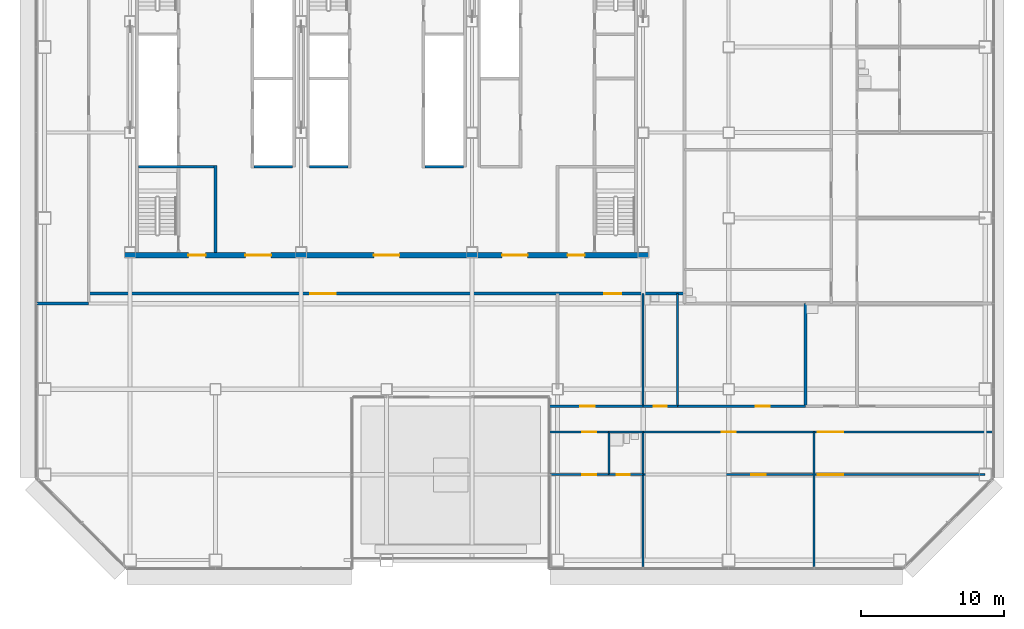
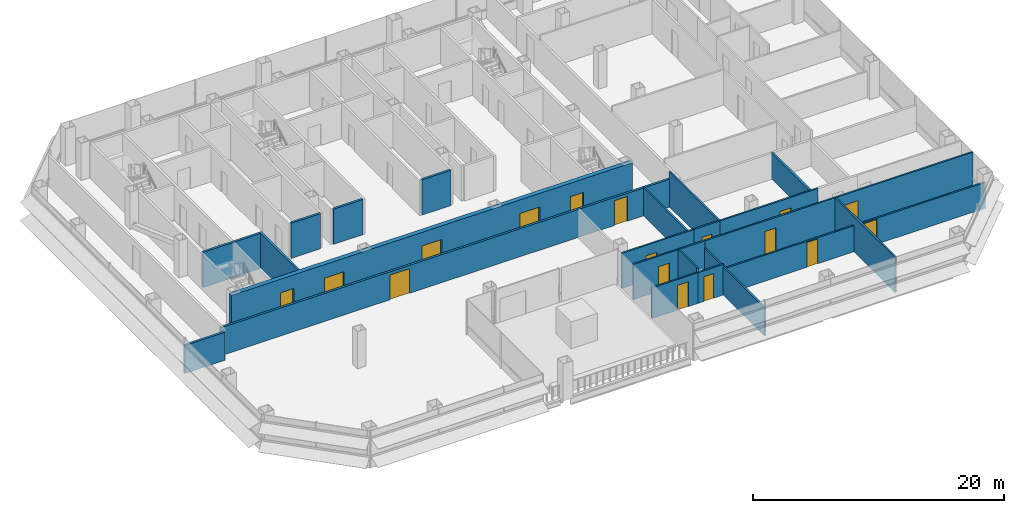
# One storey, part 20 of 27: 24 walls, 17 doors, 17 openings.
"""IFC4 building model written with IfcOpenShell, lengths in metres."""

from ifc_helpers import new_model, si_unit, direction, frame, frame_2d, origin, place, context, subcontext, project, spatial, rectangle, extrude, material, layer, layer_set, type_object, element, fill, save


model = new_model("IFC4")

# Units and contexts
model_context = context("Model", 3, precision=1e-05, world=origin(), true_north=direction((0.0, 1.0)))
body_context = subcontext(model_context, "Body", "Model", "MODEL_VIEW")
ifc_project = project(units=[si_unit("LENGTHUNIT", "METRE"), si_unit("AREAUNIT", "SQUARE_METRE"), si_unit("VOLUMEUNIT", "CUBIC_METRE"), si_unit("PLANEANGLEUNIT", "RADIAN"), si_unit("MASSUNIT", "GRAM", prefix="KILO")], contexts=[model_context])

# Site, building, storey
site_placement = place(None, origin())
site = spatial("IfcSite", under=ifc_project, at=site_placement, CompositionType="ELEMENT")
building_placement = place(site_placement, origin())
building = spatial("IfcBuilding", under=site, at=building_placement, Name="Sorahane Residences", CompositionType="ELEMENT")
storey_placement = place(building_placement, frame((0.0, 0.0, 82.199951171875)))
storey = spatial("IfcBuildingStorey", under=building, at=storey_placement, Name="L17", CompositionType="ELEMENT", Elevation=82.199951171875)

# Wall
ifc_material_1 = material(Name="Concrete blockwork C20 wall", Category="masonry")
ifc_layer_1 = layer(ifc_material_1, 0.199951171875)
ifc_layer_set_1 = layer_set([ifc_layer_1], Name="Corridor wall 200 EI 120")
wall_type_1 = type_object("IfcWallType", Name="Corridor wall 200 EI 120", PredefinedType="SOLIDWALL", material=ifc_layer_set_1)
wall_1_placement = place(storey_placement, frame((-0.60009765625, 18.0, 0.0), z_axis=(0.0, 0.0, 1.0), x_axis=(1.0, 0.0, 0.0)))
element("IfcWall", 1, at=wall_1_placement, inside=storey, type_object=wall_type_1, Name="L17 corridor wall", PredefinedType="SOLIDWALL", context=body_context, shape_type="SweptSolid", body=[
    extrude(rectangle(XDim=3.697998046875, YDim=0.199951171875, at=frame_2d((1.84912109375, 0.0))), origin(), (0.0, 0.0, 1.0), 2.719970703125),
])

# Wall, openings, doors
wall_2_placement = place(storey_placement, frame((3.10009765625, 18.699951171875, 0.0), z_axis=(0.0, 0.0, 1.0), x_axis=(1.0, 0.0, 0.0)))
wall_2 = element("IfcWall", 2, at=wall_2_placement, inside=storey, type_object=wall_type_1, Name="L17 corridor wall", PredefinedType="SOLIDWALL", context=body_context, shape_type="SweptSolid", body=[
    extrude(rectangle(XDim=41.7998046875, YDim=0.199951171875, at=frame_2d((20.89990234375, 0.0))), origin(), (0.0, 0.0, 1.0), 2.719970703125),
])
opening_1_placement = place(wall_2_placement, frame((36.159912109375, 0.0, 0.0)))
opening_1 = element("IfcOpeningElement", 3, at=opening_1_placement, cuts=wall_2, Name="Opening L17-25", PredefinedType="OPENING", context=body_context, shape_type="SweptSolid", body=[
    extrude(rectangle(XDim=1.199951171875, YDim=2.39990234375, at=frame_2d((0.60009765625, 1.199951171875))), frame((0.0, 0.10986328125, 0.0), z_axis=(0.0, -1.0, 0.0), x_axis=(1.0, 0.0, 0.0)), (0.0, 0.0, 1.0), 0.219970703125),
])
opening_2_placement = place(wall_2_placement, frame((15.550048828125, 0.0, 0.0)))
opening_2 = element("IfcOpeningElement", 4, at=opening_2_placement, cuts=wall_2, Name="Opening L17-27", PredefinedType="OPENING", context=body_context, shape_type="SweptSolid", body=[
    extrude(rectangle(XDim=1.800048828125, YDim=2.39990234375, at=frame_2d((0.89990234375, 1.199951171875))), frame((0.0, 0.10986328125, 0.0), z_axis=(0.0, -1.0, 0.0), x_axis=(1.0, 0.0, 0.0)), (0.0, 0.0, 1.0), 0.219970703125),
])
ifc_material_2 = material(Name="Timber veneered fire door", Category="wood")
door_type_1 = type_object("IfcDoorType", Name="Double door 1800x2400 FD30", OperationType="NOTDEFINED", PredefinedType="DOOR", material=ifc_material_2)
door_1_placement = place(opening_2_placement, frame((1.800048828125, 0.0, 0.0), z_axis=(0.0, 0.0, 1.0), x_axis=(-1.0, 0.0, 0.0)))
door_1 = element("IfcDoor", 5, at=door_1_placement, inside=storey, type_object=door_type_1, Name="Double door L17-27", OperationType="SINGLE_SWING_LEFT", OverallHeight=2.39990234375, OverallWidth=1.800048828125, PredefinedType="DOOR", context=body_context, shape_type="SweptSolid", body=[
    extrude(rectangle(XDim=1.800048828125, YDim=2.39990234375, at=frame_2d((0.89990234375, 1.199951171875))), frame((0.0, 0.02490234375, 0.0), z_axis=(0.0, -1.0, 0.0), x_axis=(1.0, 0.0, 0.0)), (0.0, 0.0, 1.0), 0.050048828125),
])
fill(opening_2, door_1)
ifc_material_3 = material(Name="Timber veneered fire door", Category="wood")
door_type_2 = type_object("IfcDoorType", Name="Flat entrance door 1200x2400 FD60", OperationType="NOTDEFINED", PredefinedType="DOOR", material=ifc_material_3)
door_2_placement = place(opening_1_placement, frame((1.199951171875, 0.0, 0.0), z_axis=(0.0, 0.0, 1.0), x_axis=(-1.0, 0.0, 0.0)))
door_2 = element("IfcDoor", 6, at=door_2_placement, inside=storey, type_object=door_type_2, Name="Flat entrance door L17-25", OperationType="SINGLE_SWING_LEFT", OverallHeight=2.39990234375, OverallWidth=1.199951171875, PredefinedType="DOOR", context=body_context, shape_type="SweptSolid", body=[
    extrude(rectangle(XDim=1.199951171875, YDim=2.39990234375, at=frame_2d((0.60009765625, 1.199951171875))), frame((0.0, 0.02490234375, 0.0), z_axis=(0.0, -1.0, 0.0), x_axis=(1.0, 0.0, 0.0)), (0.0, 0.0, 1.0), 0.050048828125),
])
fill(opening_1, door_2)

# Walls
ifc_material_4 = material(Name="Concrete C30", Category="concrete")
ifc_layer_2 = layer(ifc_material_4, 0.199951171875)
ifc_layer_set_2 = layer_set([ifc_layer_2], Name="Front room wall 200 EI 120")
wall_type_2 = type_object("IfcWallType", Name="Front room wall 200 EI 120", PredefinedType="PARTITIONING", material=ifc_layer_set_2)
wall_3_placement = place(storey_placement, frame((12.0, 21.60009765625, 0.0), z_axis=(0.0, 0.0, 1.0), x_axis=(0.0, 1.0, 0.0)))
element("IfcWall", 7, at=wall_3_placement, inside=storey, type_object=wall_type_2, Name="L17 front room wall", PredefinedType="PARTITIONING", context=body_context, shape_type="SweptSolid", body=[
    extrude(rectangle(XDim=6.099853515625, YDim=0.199951171875, at=frame_2d((3.0498046875, 0.0))), origin(), (0.0, 0.0, 1.0), 3.420166015625),
])
ifc_material_5 = material(Name="Concrete blockwork C20 wall", Category="masonry")
ifc_layer_3 = layer(ifc_material_5, 0.199951171875)
ifc_layer_set_3 = layer_set([ifc_layer_3], Name="Kitchen wall 200 EI 180")
wall_type_3 = type_object("IfcWallType", Name="Kitchen wall 200 EI 180", PredefinedType="SOLIDWALL", material=ifc_layer_set_3)
wall_4_placement = place(storey_placement, frame((53.39990234375, 10.800048828125, 0.0), z_axis=(0.0, 0.0, 1.0), x_axis=(0.0, 1.0, 0.0)))
element("IfcWall", 8, at=wall_4_placement, inside=storey, type_object=wall_type_3, Name="L17 kitchen wall", PredefinedType="SOLIDWALL", context=body_context, shape_type="SweptSolid", body=[
    extrude(rectangle(XDim=7.199951171875, YDim=0.199951171875, at=frame_2d((3.60009765625, 0.0))), origin(), (0.0, 0.0, 1.0), 2.52001953125),
])
ifc_material_6 = material(Name="Concrete C30", Category="concrete")
ifc_layer_4 = layer(ifc_material_6, 0.199951171875)
ifc_layer_set_4 = layer_set([ifc_layer_4], Name="Lift shaft wall 200 EI 120")
wall_type_4 = type_object("IfcWallType", Name="Lift shaft wall 200 EI 120", PredefinedType="SOLIDWALL", material=ifc_layer_set_4)
for number, where, z_axis, x_axis, name in (
    (9, (14.699951171875, 27.60009765625, 0.0), (0.0, 0.0, 1.0), (1.0, 0.0, 0.0), "L17 lift shaft wall"),
    (10, (18.60009765625, 27.60009765625, 0.0), (0.0, 0.0, 1.0), (1.0, 0.0, 0.0), "L17 lift shaft wall"),
):
    element("IfcWall", number, at=place(storey_placement, frame(where, z_axis=z_axis, x_axis=x_axis)), inside=storey, type_object=wall_type_4, Name=name, PredefinedType="SOLIDWALL", context=body_context, shape_type="SweptSolid", body=[
        extrude(rectangle(XDim=2.699951171875, YDim=0.199951171875, at=frame_2d((1.35009765625, 0.0))), origin(), (0.0, 0.0, 1.0), 3.420166015625),
    ])
ifc_material_7 = material(Name="Gypsum board partition on steel studs", Category="steel")
ifc_layer_5 = layer(ifc_material_7, 0.14990234375)
ifc_layer_set_5 = layer_set([ifc_layer_5], Name="Partition 150 EI 90")
wall_type_5 = type_object("IfcWallType", Name="Partition 150 EI 90", PredefinedType="PARTITIONING", material=ifc_layer_set_5)
wall_5_placement = place(storey_placement, frame((42.0, -0.60009765625, 0.0), z_axis=(0.0, 0.0, 1.0), x_axis=(0.0, 1.0, 0.0)))
element("IfcWall", 11, at=wall_5_placement, inside=storey, type_object=wall_type_5, Name="L17 partition", PredefinedType="PARTITIONING", context=body_context, shape_type="SweptSolid", body=[
    extrude(rectangle(XDim=6.60009765625, YDim=0.14990234375, at=frame_2d((3.300048828125, 0.0))), origin(), (0.0, 0.0, 1.0), 2.719970703125),
])
wall_6_placement = place(storey_placement, frame((54.0, -0.60009765625, 0.0), z_axis=(0.0, 0.0, 1.0), x_axis=(0.0, 1.0, 0.0)))
element("IfcWall", 12, at=wall_6_placement, inside=storey, type_object=wall_type_5, Name="L17 partition", PredefinedType="PARTITIONING", context=body_context, shape_type="SweptSolid", body=[
    extrude(rectangle(XDim=9.60009765625, YDim=0.14990234375, at=frame_2d((4.800048828125, 0.0))), origin(), (0.0, 0.0, 1.0), 3.420166015625),
])

# Wall, opening, door
wall_7_placement = place(storey_placement, frame((35.39990234375, 10.800048828125, 0.0), z_axis=(0.0, 0.0, 1.0), x_axis=(1.0, 0.0, 0.0)))
wall_7 = element("IfcWall", 13, at=wall_7_placement, inside=storey, type_object=wall_type_5, Name="L17 partition", PredefinedType="PARTITIONING", context=body_context, shape_type="SweptSolid", body=[
    extrude(rectangle(XDim=6.60009765625, YDim=0.14990234375, at=frame_2d((3.300048828125, 0.0))), origin(), (0.0, 0.0, 1.0), 3.420166015625),
])
opening_3_placement = place(wall_7_placement, frame((2.199951171875, 0.0, 0.0)))
opening_3 = element("IfcOpeningElement", 14, at=opening_3_placement, cuts=wall_7, Name="Opening L17-01", PredefinedType="OPENING", context=body_context, shape_type="SweptSolid", body=[
    extrude(rectangle(XDim=1.0, YDim=2.39990234375, at=frame_2d((0.5, 1.199951171875))), frame((0.0, 0.0849609375, 0.0), z_axis=(0.0, -1.0, 0.0), x_axis=(1.0, 0.0, 0.0)), (0.0, 0.0, 1.0), 0.169921875),
])
ifc_material_8 = material(Name="Timber veneered fire door", Category="wood")
door_type_3 = type_object("IfcDoorType", Name="Room door 1000x2400 FD30", OperationType="NOTDEFINED", PredefinedType="DOOR", material=ifc_material_8)
door_3_placement = place(opening_3_placement, frame((1.0, 0.0, 0.0), z_axis=(0.0, 0.0, 1.0), x_axis=(-1.0, 0.0, 0.0)))
door_3 = element("IfcDoor", 15, at=door_3_placement, inside=storey, type_object=door_type_3, Name="Room door L17-01", OperationType="SINGLE_SWING_RIGHT", OverallHeight=2.39990234375, OverallWidth=1.0, PredefinedType="DOOR", context=body_context, shape_type="SweptSolid", body=[
    extrude(rectangle(XDim=1.0, YDim=2.39990234375, at=frame_2d((0.5, 1.199951171875))), frame((0.0, 0.02490234375, 0.0), z_axis=(0.0, -1.0, 0.0), x_axis=(1.0, 0.0, 0.0)), (0.0, 0.0, 1.0), 0.050048828125),
])
fill(opening_3, door_3)

wall_8_placement = place(storey_placement, frame((44.39990234375, 10.800048828125, 0.0), z_axis=(0.0, 0.0, 1.0), x_axis=(1.0, 0.0, 0.0)))
wall_8 = element("IfcWall", 16, at=wall_8_placement, inside=storey, type_object=wall_type_5, Name="L17 partition", PredefinedType="PARTITIONING", context=body_context, shape_type="SweptSolid", body=[
    extrude(rectangle(XDim=9.0, YDim=0.14990234375, at=frame_2d((4.5, 0.0))), origin(), (0.0, 0.0, 1.0), 3.420166015625),
])
opening_4_placement = place(wall_8_placement, frame((5.5, 0.0, 0.0)))
opening_4 = element("IfcOpeningElement", 17, at=opening_4_placement, cuts=wall_8, Name="Opening L17-03", PredefinedType="OPENING", context=body_context, shape_type="SweptSolid", body=[
    extrude(rectangle(XDim=1.0, YDim=2.39990234375, at=frame_2d((0.5, 1.199951171875))), frame((0.0, 0.0849609375, 0.0), z_axis=(0.0, -1.0, 0.0), x_axis=(1.0, 0.0, 0.0)), (0.0, 0.0, 1.0), 0.169921875),
])
door_4_placement = place(opening_4_placement, origin())
door_4 = element("IfcDoor", 18, at=door_4_placement, inside=storey, type_object=door_type_3, Name="Room door L17-03", OperationType="SINGLE_SWING_RIGHT", OverallHeight=2.39990234375, OverallWidth=1.0, PredefinedType="DOOR", context=body_context, shape_type="SweptSolid", body=[
    extrude(rectangle(XDim=1.0, YDim=2.39990234375, at=frame_2d((0.5, 1.199951171875))), frame((0.0, 0.02490234375, 0.0), z_axis=(0.0, -1.0, 0.0), x_axis=(1.0, 0.0, 0.0)), (0.0, 0.0, 1.0), 0.050048828125),
])
fill(opening_4, door_4)

wall_9_placement = place(storey_placement, frame((35.39990234375, 6.0, 0.0), z_axis=(0.0, 0.0, 1.0), x_axis=(1.0, 0.0, 0.0)))
wall_9 = element("IfcWall", 19, at=wall_9_placement, inside=storey, type_object=wall_type_5, Name="L17 partition", PredefinedType="PARTITIONING", context=body_context, shape_type="SweptSolid", body=[
    extrude(rectangle(XDim=4.2001953125, YDim=0.14990234375, at=frame_2d((2.10009765625, 0.0))), origin(), (0.0, 0.0, 1.0), 2.969970703125),
])
opening_5_placement = place(wall_9_placement, frame((2.320068359375, 0.0, 0.0)))
opening_5 = element("IfcOpeningElement", 20, at=opening_5_placement, cuts=wall_9, Name="Opening L17-09", PredefinedType="OPENING", context=body_context, shape_type="SweptSolid", body=[
    extrude(rectangle(XDim=1.0, YDim=2.39990234375, at=frame_2d((0.5, 1.199951171875))), frame((0.0, 0.0849609375, 0.0), z_axis=(0.0, -1.0, 0.0), x_axis=(1.0, 0.0, 0.0)), (0.0, 0.0, 1.0), 0.169921875),
])
door_5_placement = place(opening_5_placement, frame((1.0, 0.0, 0.0), z_axis=(0.0, 0.0, 1.0), x_axis=(-1.0, 0.0, 0.0)))
door_5 = element("IfcDoor", 21, at=door_5_placement, inside=storey, type_object=door_type_3, Name="Room door L17-09", OperationType="SINGLE_SWING_RIGHT", OverallHeight=2.39990234375, OverallWidth=1.0, PredefinedType="DOOR", context=body_context, shape_type="SweptSolid", body=[
    extrude(rectangle(XDim=1.0, YDim=2.39990234375, at=frame_2d((0.5, 1.199951171875))), frame((0.0, 0.02490234375, 0.0), z_axis=(0.0, -1.0, 0.0), x_axis=(1.0, 0.0, 0.0)), (0.0, 0.0, 1.0), 0.050048828125),
])
fill(opening_5, door_5)

# Wall, openings, doors
wall_10_placement = place(storey_placement, frame((42.0, 6.0, 0.0), z_axis=(0.0, 0.0, 1.0), x_axis=(1.0, 0.0, 0.0)))
wall_10 = element("IfcWall", 22, at=wall_10_placement, inside=storey, type_object=wall_type_5, Name="L17 partition", PredefinedType="PARTITIONING", context=body_context, shape_type="SweptSolid", body=[
    extrude(rectangle(XDim=24.0, YDim=0.14990234375, at=frame_2d((12.0, 0.0))), origin(), (0.0, 0.0, 1.0), 2.52001953125),
])
opening_6_placement = place(wall_10_placement, frame((7.60009765625, 0.0, 0.0)))
opening_6 = element("IfcOpeningElement", 23, at=opening_6_placement, cuts=wall_10, Name="Opening L17-11", PredefinedType="OPENING", context=body_context, shape_type="SweptSolid", body=[
    extrude(rectangle(XDim=1.0, YDim=2.39990234375, at=frame_2d((0.5, 1.199951171875))), frame((0.0, 0.0849609375, 0.0), z_axis=(0.0, -1.0, 0.0), x_axis=(1.0, 0.0, 0.0)), (0.0, 0.0, 1.0), 0.169921875),
])
opening_7_placement = place(wall_10_placement, frame((12.25, 0.0, 0.0)))
opening_7 = element("IfcOpeningElement", 24, at=opening_7_placement, cuts=wall_10, Name="Opening L17-12", PredefinedType="OPENING", context=body_context, shape_type="SweptSolid", body=[
    extrude(rectangle(XDim=1.800048828125, YDim=2.39990234375, at=frame_2d((0.89990234375, 1.199951171875))), frame((0.0, 0.0849609375, 0.0), z_axis=(0.0, -1.0, 0.0), x_axis=(1.0, 0.0, 0.0)), (0.0, 0.0, 1.0), 0.169921875),
])
door_6_placement = place(opening_7_placement, frame((1.800048828125, 0.0, 0.0), z_axis=(0.0, 0.0, 1.0), x_axis=(-1.0, 0.0, 0.0)))
door_6 = element("IfcDoor", 25, at=door_6_placement, inside=storey, type_object=door_type_1, Name="Double door L17-12", OperationType="SINGLE_SWING_RIGHT", OverallHeight=2.39990234375, OverallWidth=1.800048828125, PredefinedType="DOOR", context=body_context, shape_type="SweptSolid", body=[
    extrude(rectangle(XDim=1.800048828125, YDim=2.39990234375, at=frame_2d((0.89990234375, 1.199951171875))), frame((0.0, 0.02490234375, 0.0), z_axis=(0.0, -1.0, 0.0), x_axis=(1.0, 0.0, 0.0)), (0.0, 0.0, 1.0), 0.050048828125),
])
fill(opening_7, door_6)
door_7_placement = place(opening_6_placement, frame((1.0, 0.0, 0.0), z_axis=(0.0, 0.0, 1.0), x_axis=(-1.0, 0.0, 0.0)))
door_7 = element("IfcDoor", 26, at=door_7_placement, inside=storey, type_object=door_type_3, Name="Room door L17-11", OperationType="SINGLE_SWING_LEFT", OverallHeight=2.39990234375, OverallWidth=1.0, PredefinedType="DOOR", context=body_context, shape_type="SweptSolid", body=[
    extrude(rectangle(XDim=1.0, YDim=2.39990234375, at=frame_2d((0.5, 1.199951171875))), frame((0.0, 0.02490234375, 0.0), z_axis=(0.0, -1.0, 0.0), x_axis=(1.0, 0.0, 0.0)), (0.0, 0.0, 1.0), 0.050048828125),
])
fill(opening_6, door_7)

# Wall, opening, door
wall_11_placement = place(storey_placement, frame((35.39990234375, 9.0, 0.0), z_axis=(0.0, 0.0, 1.0), x_axis=(1.0, 0.0, 0.0)))
wall_11 = element("IfcWall", 27, at=wall_11_placement, inside=storey, type_object=wall_type_5, Name="L17 partition", PredefinedType="PARTITIONING", context=body_context, shape_type="SweptSolid", body=[
    extrude(rectangle(XDim=4.2001953125, YDim=0.14990234375, at=frame_2d((2.10009765625, 0.0))), origin(), (0.0, 0.0, 1.0), 3.420166015625),
])
opening_8_placement = place(wall_11_placement, frame((2.320068359375, 0.0, 0.0)))
opening_8 = element("IfcOpeningElement", 28, at=opening_8_placement, cuts=wall_11, Name="Opening L17-06", PredefinedType="OPENING", context=body_context, shape_type="SweptSolid", body=[
    extrude(rectangle(XDim=1.0, YDim=2.39990234375, at=frame_2d((0.5, 1.199951171875))), frame((0.0, 0.0849609375, 0.0), z_axis=(0.0, -1.0, 0.0), x_axis=(1.0, 0.0, 0.0)), (0.0, 0.0, 1.0), 0.169921875),
])
door_8_placement = place(opening_8_placement, frame((1.0, 0.0, 0.0), z_axis=(0.0, 0.0, 1.0), x_axis=(-1.0, 0.0, 0.0)))
door_8 = element("IfcDoor", 29, at=door_8_placement, inside=storey, type_object=door_type_3, Name="Room door L17-06", OperationType="SINGLE_SWING_RIGHT", OverallHeight=2.39990234375, OverallWidth=1.0, PredefinedType="DOOR", context=body_context, shape_type="SweptSolid", body=[
    extrude(rectangle(XDim=1.0, YDim=2.39990234375, at=frame_2d((0.5, 1.199951171875))), frame((0.0, 0.02490234375, 0.0), z_axis=(0.0, -1.0, 0.0), x_axis=(1.0, 0.0, 0.0)), (0.0, 0.0, 1.0), 0.050048828125),
])
fill(opening_8, door_8)

# Wall, openings, doors
wall_12_placement = place(storey_placement, frame((42.0, 9.0, 0.0), z_axis=(0.0, 0.0, 1.0), x_axis=(1.0, 0.0, 0.0)))
wall_12 = element("IfcWall", 30, at=wall_12_placement, inside=storey, type_object=wall_type_5, Name="L17 partition", PredefinedType="PARTITIONING", context=body_context, shape_type="SweptSolid", body=[
    extrude(rectangle(XDim=24.60009765625, YDim=0.14990234375, at=frame_2d((12.300048828125, 0.0))), origin(), (0.0, 0.0, 1.0), 3.420166015625),
])
opening_9_placement = place(wall_12_placement, frame((5.5, 0.0, 0.0)))
opening_9 = element("IfcOpeningElement", 31, at=opening_9_placement, cuts=wall_12, Name="Opening L17-07", PredefinedType="OPENING", context=body_context, shape_type="SweptSolid", body=[
    extrude(rectangle(XDim=1.0, YDim=2.39990234375, at=frame_2d((0.5, 1.199951171875))), frame((0.0, 0.0849609375, 0.0), z_axis=(0.0, -1.0, 0.0), x_axis=(1.0, 0.0, 0.0)), (0.0, 0.0, 1.0), 0.169921875),
])
opening_10_placement = place(wall_12_placement, frame((12.25, 0.0, 0.0)))
opening_10 = element("IfcOpeningElement", 32, at=opening_10_placement, cuts=wall_12, Name="Opening L17-08", PredefinedType="OPENING", context=body_context, shape_type="SweptSolid", body=[
    extrude(rectangle(XDim=1.800048828125, YDim=2.39990234375, at=frame_2d((0.89990234375, 1.199951171875))), frame((0.0, 0.0849609375, 0.0), z_axis=(0.0, -1.0, 0.0), x_axis=(1.0, 0.0, 0.0)), (0.0, 0.0, 1.0), 0.169921875),
])
door_9_placement = place(opening_10_placement, frame((1.800048828125, 0.0, 0.0), z_axis=(0.0, 0.0, 1.0), x_axis=(-1.0, 0.0, 0.0)))
door_9 = element("IfcDoor", 33, at=door_9_placement, inside=storey, type_object=door_type_1, Name="Double door L17-08", OperationType="SINGLE_SWING_RIGHT", OverallHeight=2.39990234375, OverallWidth=1.800048828125, PredefinedType="DOOR", context=body_context, shape_type="SweptSolid", body=[
    extrude(rectangle(XDim=1.800048828125, YDim=2.39990234375, at=frame_2d((0.89990234375, 1.199951171875))), frame((0.0, 0.02490234375, 0.0), z_axis=(0.0, -1.0, 0.0), x_axis=(1.0, 0.0, 0.0)), (0.0, 0.0, 1.0), 0.050048828125),
])
fill(opening_10, door_9)
door_10_placement = place(opening_9_placement, frame((1.0, 0.0, 0.0), z_axis=(0.0, 0.0, 1.0), x_axis=(-1.0, 0.0, 0.0)))
door_10 = element("IfcDoor", 34, at=door_10_placement, inside=storey, type_object=door_type_3, Name="Room door L17-07", OperationType="SINGLE_SWING_LEFT", OverallHeight=2.39990234375, OverallWidth=1.0, PredefinedType="DOOR", context=body_context, shape_type="SweptSolid", body=[
    extrude(rectangle(XDim=1.0, YDim=2.39990234375, at=frame_2d((0.5, 1.199951171875))), frame((0.0, 0.02490234375, 0.0), z_axis=(0.0, -1.0, 0.0), x_axis=(1.0, 0.0, 0.0)), (0.0, 0.0, 1.0), 0.050048828125),
])
fill(opening_9, door_10)

# Walls
ifc_material_9 = material(Name="Concrete C30", Category="concrete")
ifc_layer_6 = layer(ifc_material_9, 0.199951171875)
ifc_layer_set_6 = layer_set([ifc_layer_6], Name="Riser shaft wall 200 EI 120")
wall_type_6 = type_object("IfcWallType", Name="Riser shaft wall 200 EI 120", PredefinedType="SOLIDWALL", material=ifc_layer_set_6)
wall_13_placement = place(storey_placement, frame((26.699951171875, 27.60009765625, 0.0), z_axis=(0.0, 0.0, 1.0), x_axis=(1.0, 0.0, 0.0)))
element("IfcWall", 35, at=wall_13_placement, inside=storey, type_object=wall_type_6, Name="L17 riser wall", PredefinedType="SOLIDWALL", context=body_context, shape_type="SweptSolid", body=[
    extrude(rectangle(XDim=2.699951171875, YDim=0.199951171875, at=frame_2d((1.35009765625, 0.0))), origin(), (0.0, 0.0, 1.0), 3.420166015625),
])
ifc_material_10 = material(Name="Concrete C30", Category="concrete")
ifc_layer_7 = layer(ifc_material_10, 0.199951171875)
ifc_layer_set_7 = layer_set([ifc_layer_7], Name="Stair enclosure wall 200 EI 120")
wall_type_7 = type_object("IfcWallType", Name="Stair enclosure wall 200 EI 120", PredefinedType="SOLIDWALL", material=ifc_layer_set_7)
wall_14_placement = place(storey_placement, frame((6.60009765625, 27.60009765625, 0.0), z_axis=(0.0, 0.0, 1.0), x_axis=(1.0, 0.0, 0.0)))
element("IfcWall", 36, at=wall_14_placement, inside=storey, type_object=wall_type_7, Name="L17 stair enclosure wall", PredefinedType="SOLIDWALL", context=body_context, shape_type="SweptSolid", body=[
    extrude(rectangle(XDim=5.2998046875, YDim=0.199951171875, at=frame_2d((2.64990234375, 0.0))), origin(), (0.0, 0.0, 1.0), 3.420166015625),
])

# Wall, openings, doors
ifc_material_11 = material(Name="Concrete C30", Category="concrete")
ifc_layer_8 = layer(ifc_material_11, 0.39990234375)
ifc_layer_set_8 = layer_set([ifc_layer_8], Name="Waiting hall wall 400 EI 120")
wall_type_8 = type_object("IfcWallType", Name="Waiting hall wall 400 EI 120", PredefinedType="SOLIDWALL", material=ifc_layer_set_8)
wall_15_placement = place(storey_placement, frame((5.60009765625, 21.39990234375, 0.0), z_axis=(0.0, 0.0, 1.0), x_axis=(1.0, 0.0, 0.0)))
wall_15 = element("IfcWall", 37, at=wall_15_placement, inside=storey, type_object=wall_type_8, Name="L17 waiting hall wall", PredefinedType="SOLIDWALL", context=body_context, shape_type="SweptSolid", body=[
    extrude(rectangle(XDim=36.7998046875, YDim=0.39990234375, at=frame_2d((18.39990234375, 0.0))), origin(), (0.0, 0.0, 1.0), 3.420166015625),
])
opening_11_placement = place(wall_15_placement, frame((8.5, 0.0, 0.0)))
opening_11 = element("IfcOpeningElement", 38, at=opening_11_placement, cuts=wall_15, Name="Opening L17-C01", PredefinedType="OPENING", context=body_context, shape_type="SweptSolid", body=[
    extrude(rectangle(XDim=1.800048828125, YDim=2.10009765625, at=frame_2d((0.89990234375, 1.050048828125))), frame((0.0, 0.2099609375, 0.0), z_axis=(0.0, -1.0, 0.0), x_axis=(1.0, 0.0, 0.0)), (0.0, 0.0, 1.0), 0.419921875),
])
opening_12_placement = place(wall_15_placement, frame((17.5, 0.0, 0.0)))
opening_12 = element("IfcOpeningElement", 39, at=opening_12_placement, cuts=wall_15, Name="Opening L17-C02", PredefinedType="OPENING", context=body_context, shape_type="SweptSolid", body=[
    extrude(rectangle(XDim=1.800048828125, YDim=2.10009765625, at=frame_2d((0.89990234375, 1.050048828125))), frame((0.0, 0.2099609375, 0.0), z_axis=(0.0, -1.0, 0.0), x_axis=(1.0, 0.0, 0.0)), (0.0, 0.0, 1.0), 0.419921875),
])
opening_13_placement = place(wall_15_placement, frame((26.5, 0.0, 0.0)))
opening_13 = element("IfcOpeningElement", 40, at=opening_13_placement, cuts=wall_15, Name="Opening L17-C03", PredefinedType="OPENING", context=body_context, shape_type="SweptSolid", body=[
    extrude(rectangle(XDim=1.800048828125, YDim=2.10009765625, at=frame_2d((0.89990234375, 1.050048828125))), frame((0.0, 0.2099609375, 0.0), z_axis=(0.0, -1.0, 0.0), x_axis=(1.0, 0.0, 0.0)), (0.0, 0.0, 1.0), 0.419921875),
])
opening_14_placement = place(wall_15_placement, frame((4.5, 0.0, 0.0)))
opening_14 = element("IfcOpeningElement", 41, at=opening_14_placement, cuts=wall_15, Name="Opening L17-C04", PredefinedType="OPENING", context=body_context, shape_type="SweptSolid", body=[
    extrude(rectangle(XDim=1.199951171875, YDim=2.10009765625, at=frame_2d((0.60009765625, 1.050048828125))), frame((0.0, 0.2099609375, 0.0), z_axis=(0.0, -1.0, 0.0), x_axis=(1.0, 0.0, 0.0)), (0.0, 0.0, 1.0), 0.419921875),
])
opening_15_placement = place(wall_15_placement, frame((31.10009765625, 0.0, 0.0)))
opening_15 = element("IfcOpeningElement", 42, at=opening_15_placement, cuts=wall_15, Name="Opening L17-C05", PredefinedType="OPENING", context=body_context, shape_type="SweptSolid", body=[
    extrude(rectangle(XDim=1.199951171875, YDim=2.10009765625, at=frame_2d((0.60009765625, 1.050048828125))), frame((0.0, 0.2099609375, 0.0), z_axis=(0.0, -1.0, 0.0), x_axis=(1.0, 0.0, 0.0)), (0.0, 0.0, 1.0), 0.419921875),
])
ifc_material_12 = material(Name="Steel", Category="steel")
door_type_4 = type_object("IfcDoorType", Name="Stair front room door 1200x2100 FD120", OperationType="NOTDEFINED", PredefinedType="DOOR", material=ifc_material_12)
door_11_placement = place(opening_14_placement, frame((1.199951171875, 0.0, 0.0), z_axis=(0.0, 0.0, 1.0), x_axis=(-1.0, 0.0, 0.0)))
door_11 = element("IfcDoor", 43, at=door_11_placement, inside=storey, type_object=door_type_4, Name="Stair front room door Stair S4 front room L17", OperationType="SINGLE_SWING_LEFT", OverallHeight=2.10009765625, OverallWidth=1.199951171875, PredefinedType="DOOR", context=body_context, shape_type="SweptSolid", body=[
    extrude(rectangle(XDim=1.199951171875, YDim=2.10009765625, at=frame_2d((0.60009765625, 1.050048828125))), frame((0.0, 0.02490234375, 0.0), z_axis=(0.0, -1.0, 0.0), x_axis=(1.0, 0.0, 0.0)), (0.0, 0.0, 1.0), 0.050048828125),
])
fill(opening_14, door_11)
door_12_placement = place(opening_15_placement, frame((1.199951171875, 0.0, 0.0), z_axis=(0.0, 0.0, 1.0), x_axis=(-1.0, 0.0, 0.0)))
door_12 = element("IfcDoor", 44, at=door_12_placement, inside=storey, type_object=door_type_4, Name="Stair front room door Stair S5 front room L17", OperationType="SINGLE_SWING_LEFT", OverallHeight=2.10009765625, OverallWidth=1.199951171875, PredefinedType="DOOR", context=body_context, shape_type="SweptSolid", body=[
    extrude(rectangle(XDim=1.199951171875, YDim=2.10009765625, at=frame_2d((0.60009765625, 1.050048828125))), frame((0.0, 0.02490234375, 0.0), z_axis=(0.0, -1.0, 0.0), x_axis=(1.0, 0.0, 0.0)), (0.0, 0.0, 1.0), 0.050048828125),
])
fill(opening_15, door_12)
ifc_material_13 = material(Name="Steel", Category="steel")
door_type_5 = type_object("IfcDoorType", Name="Waiting hall door 1800x2100 FD60", OperationType="NOTDEFINED", PredefinedType="DOOR", material=ifc_material_13)
door_13_placement = place(opening_11_placement, frame((1.800048828125, 0.0, 0.0), z_axis=(0.0, 0.0, 1.0), x_axis=(-1.0, 0.0, 0.0)))
door_13 = element("IfcDoor", 45, at=door_13_placement, inside=storey, type_object=door_type_5, Name="Waiting hall door Residents' waiting hall L17", OperationType="SINGLE_SWING_LEFT", OverallHeight=2.10009765625, OverallWidth=1.800048828125, PredefinedType="DOOR", context=body_context, shape_type="SweptSolid", body=[
    extrude(rectangle(XDim=1.800048828125, YDim=2.10009765625, at=frame_2d((0.89990234375, 1.050048828125))), frame((0.0, 0.02490234375, 0.0), z_axis=(0.0, -1.0, 0.0), x_axis=(1.0, 0.0, 0.0)), (0.0, 0.0, 1.0), 0.050048828125),
])
fill(opening_11, door_13)
door_14_placement = place(opening_12_placement, frame((1.800048828125, 0.0, 0.0), z_axis=(0.0, 0.0, 1.0), x_axis=(-1.0, 0.0, 0.0)))
door_14 = element("IfcDoor", 46, at=door_14_placement, inside=storey, type_object=door_type_5, Name="Waiting hall door Residents' waiting hall L17", OperationType="SINGLE_SWING_LEFT", OverallHeight=2.10009765625, OverallWidth=1.800048828125, PredefinedType="DOOR", context=body_context, shape_type="SweptSolid", body=[
    extrude(rectangle(XDim=1.800048828125, YDim=2.10009765625, at=frame_2d((0.89990234375, 1.050048828125))), frame((0.0, 0.02490234375, 0.0), z_axis=(0.0, -1.0, 0.0), x_axis=(1.0, 0.0, 0.0)), (0.0, 0.0, 1.0), 0.050048828125),
])
fill(opening_12, door_14)
door_15_placement = place(opening_13_placement, frame((1.800048828125, 0.0, 0.0), z_axis=(0.0, 0.0, 1.0), x_axis=(-1.0, 0.0, 0.0)))
door_15 = element("IfcDoor", 47, at=door_15_placement, inside=storey, type_object=door_type_5, Name="Waiting hall door Residents' waiting hall L17", OperationType="SINGLE_SWING_LEFT", OverallHeight=2.10009765625, OverallWidth=1.800048828125, PredefinedType="DOOR", context=body_context, shape_type="SweptSolid", body=[
    extrude(rectangle(XDim=1.800048828125, YDim=2.10009765625, at=frame_2d((0.89990234375, 1.050048828125))), frame((0.0, 0.02490234375, 0.0), z_axis=(0.0, -1.0, 0.0), x_axis=(1.0, 0.0, 0.0)), (0.0, 0.0, 1.0), 0.050048828125),
])
fill(opening_13, door_15)

# Walls
ifc_material_14 = material(Name="Gypsum board partition on steel studs", Category="steel")
ifc_layer_9 = layer(ifc_material_14, 0.14990234375)
ifc_layer_set_9 = layer_set([ifc_layer_9], Name="Wet wall 150 EI 90")
wall_type_9 = type_object("IfcWallType", Name="Wet wall 150 EI 90", PredefinedType="PARTITIONING", material=ifc_layer_set_9)
wall_16_placement = place(storey_placement, frame((39.60009765625, 6.0, 0.0), z_axis=(0.0, 0.0, 1.0), x_axis=(0.0, 1.0, 0.0)))
element("IfcWall", 48, at=wall_16_placement, inside=storey, type_object=wall_type_9, Name="L17 wet wall", PredefinedType="PARTITIONING", context=body_context, shape_type="SweptSolid", body=[
    extrude(rectangle(XDim=3.0, YDim=0.14990234375, at=frame_2d((1.5, 0.0))), origin(), (0.0, 0.0, 1.0), 3.420166015625),
])
wall_17_placement = place(storey_placement, frame((42.0, 6.0, 0.0), z_axis=(0.0, 0.0, 1.0), x_axis=(0.0, 1.0, 0.0)))
element("IfcWall", 49, at=wall_17_placement, inside=storey, type_object=wall_type_9, Name="L17 wet wall", PredefinedType="PARTITIONING", context=body_context, shape_type="SweptSolid", body=[
    extrude(rectangle(XDim=3.0, YDim=0.14990234375, at=frame_2d((1.5, 0.0))), origin(), (0.0, 0.0, 1.0), 2.719970703125),
])
wall_18_placement = place(storey_placement, frame((42.0, 10.800048828125, 0.0), z_axis=(0.0, 0.0, 1.0), x_axis=(0.0, 1.0, 0.0)))
element("IfcWall", 50, at=wall_18_placement, inside=storey, type_object=wall_type_9, Name="L17 wet wall", PredefinedType="PARTITIONING", context=body_context, shape_type="SweptSolid", body=[
    extrude(rectangle(XDim=7.89990234375, YDim=0.14990234375, at=frame_2d((3.949951171875, 0.0))), origin(), (0.0, 0.0, 1.0), 2.719970703125),
])
wall_19_placement = place(storey_placement, frame((44.39990234375, 10.800048828125, 0.0), z_axis=(0.0, 0.0, 1.0), x_axis=(0.0, 1.0, 0.0)))
element("IfcWall", 51, at=wall_19_placement, inside=storey, type_object=wall_type_9, Name="L17 wet wall", PredefinedType="PARTITIONING", context=body_context, shape_type="SweptSolid", body=[
    extrude(rectangle(XDim=7.89990234375, YDim=0.14990234375, at=frame_2d((3.949951171875, 0.0))), origin(), (0.0, 0.0, 1.0), 3.420166015625),
])

# Wall, opening, door
wall_20_placement = place(storey_placement, frame((42.0, 10.800048828125, 0.0), z_axis=(0.0, 0.0, 1.0), x_axis=(1.0, 0.0, 0.0)))
wall_20 = element("IfcWall", 52, at=wall_20_placement, inside=storey, type_object=wall_type_9, Name="L17 wet wall", PredefinedType="PARTITIONING", context=body_context, shape_type="SweptSolid", body=[
    extrude(rectangle(XDim=2.39990234375, YDim=0.14990234375, at=frame_2d((1.199951171875, 0.0))), origin(), (0.0, 0.0, 1.0), 3.420166015625),
])
opening_16_placement = place(wall_20_placement, frame((0.75, 0.0, 0.0)))
opening_16 = element("IfcOpeningElement", 53, at=opening_16_placement, cuts=wall_20, Name="Opening L17-02", PredefinedType="OPENING", context=body_context, shape_type="SweptSolid", body=[
    extrude(rectangle(XDim=0.89990234375, YDim=2.39990234375, at=frame_2d((0.449951171875, 1.199951171875))), frame((0.0, 0.0849609375, 0.0), z_axis=(0.0, -1.0, 0.0), x_axis=(1.0, 0.0, 0.0)), (0.0, 0.0, 1.0), 0.169921875),
])
ifc_material_15 = material(Name="Timber veneered fire door", Category="wood")
door_type_6 = type_object("IfcDoorType", Name="Bathroom door 900x2400 FD30", OperationType="NOTDEFINED", PredefinedType="DOOR", material=ifc_material_15)
door_16_placement = place(opening_16_placement, frame((0.89990234375, 0.0, 0.0), z_axis=(0.0, 0.0, 1.0), x_axis=(-1.0, 0.0, 0.0)))
door_16 = element("IfcDoor", 54, at=door_16_placement, inside=storey, type_object=door_type_6, Name="Bathroom door L17-02", OperationType="SINGLE_SWING_LEFT", OverallHeight=2.39990234375, OverallWidth=0.89990234375, PredefinedType="DOOR", context=body_context, shape_type="SweptSolid", body=[
    extrude(rectangle(XDim=0.89990234375, YDim=2.39990234375, at=frame_2d((0.449951171875, 1.199951171875))), frame((0.0, 0.02490234375, 0.0), z_axis=(0.0, -1.0, 0.0), x_axis=(1.0, 0.0, 0.0)), (0.0, 0.0, 1.0), 0.050048828125),
])
fill(opening_16, door_16)

wall_21_placement = place(storey_placement, frame((39.60009765625, 6.0, 0.0), z_axis=(0.0, 0.0, 1.0), x_axis=(1.0, 0.0, 0.0)))
wall_21 = element("IfcWall", 55, at=wall_21_placement, inside=storey, type_object=wall_type_9, Name="L17 wet wall", PredefinedType="PARTITIONING", context=body_context, shape_type="SweptSolid", body=[
    extrude(rectangle(XDim=2.39990234375, YDim=0.14990234375, at=frame_2d((1.199951171875, 0.0))), origin(), (0.0, 0.0, 1.0), 2.969970703125),
])
opening_17_placement = place(wall_21_placement, frame((0.550048828125, 0.0, 0.0)))
opening_17 = element("IfcOpeningElement", 56, at=opening_17_placement, cuts=wall_21, Name="Opening L17-10", PredefinedType="OPENING", context=body_context, shape_type="SweptSolid", body=[
    extrude(rectangle(XDim=0.89990234375, YDim=2.39990234375, at=frame_2d((0.449951171875, 1.199951171875))), frame((0.0, 0.0849609375, 0.0), z_axis=(0.0, -1.0, 0.0), x_axis=(1.0, 0.0, 0.0)), (0.0, 0.0, 1.0), 0.169921875),
])
door_17_placement = place(opening_17_placement, frame((0.89990234375, 0.0, 0.0), z_axis=(0.0, 0.0, 1.0), x_axis=(-1.0, 0.0, 0.0)))
door_17 = element("IfcDoor", 57, at=door_17_placement, inside=storey, type_object=door_type_6, Name="Bathroom door L17-10", OperationType="SINGLE_SWING_LEFT", OverallHeight=2.39990234375, OverallWidth=0.89990234375, PredefinedType="DOOR", context=body_context, shape_type="SweptSolid", body=[
    extrude(rectangle(XDim=0.89990234375, YDim=2.39990234375, at=frame_2d((0.449951171875, 1.199951171875))), frame((0.0, 0.02490234375, 0.0), z_axis=(0.0, -1.0, 0.0), x_axis=(1.0, 0.0, 0.0)), (0.0, 0.0, 1.0), 0.050048828125),
])
fill(opening_17, door_17)

# Wall
wall_22_placement = place(storey_placement, frame((39.60009765625, 9.0, 0.0), z_axis=(0.0, 0.0, 1.0), x_axis=(1.0, 0.0, 0.0)))
element("IfcWall", 58, at=wall_22_placement, inside=storey, type_object=wall_type_9, Name="L17 wet wall", PredefinedType="PARTITIONING", context=body_context, shape_type="SweptSolid", body=[
    extrude(rectangle(XDim=2.39990234375, YDim=0.14990234375, at=frame_2d((1.199951171875, 0.0))), origin(), (0.0, 0.0, 1.0), 3.420166015625),
])

save(model, "model.ifc")
